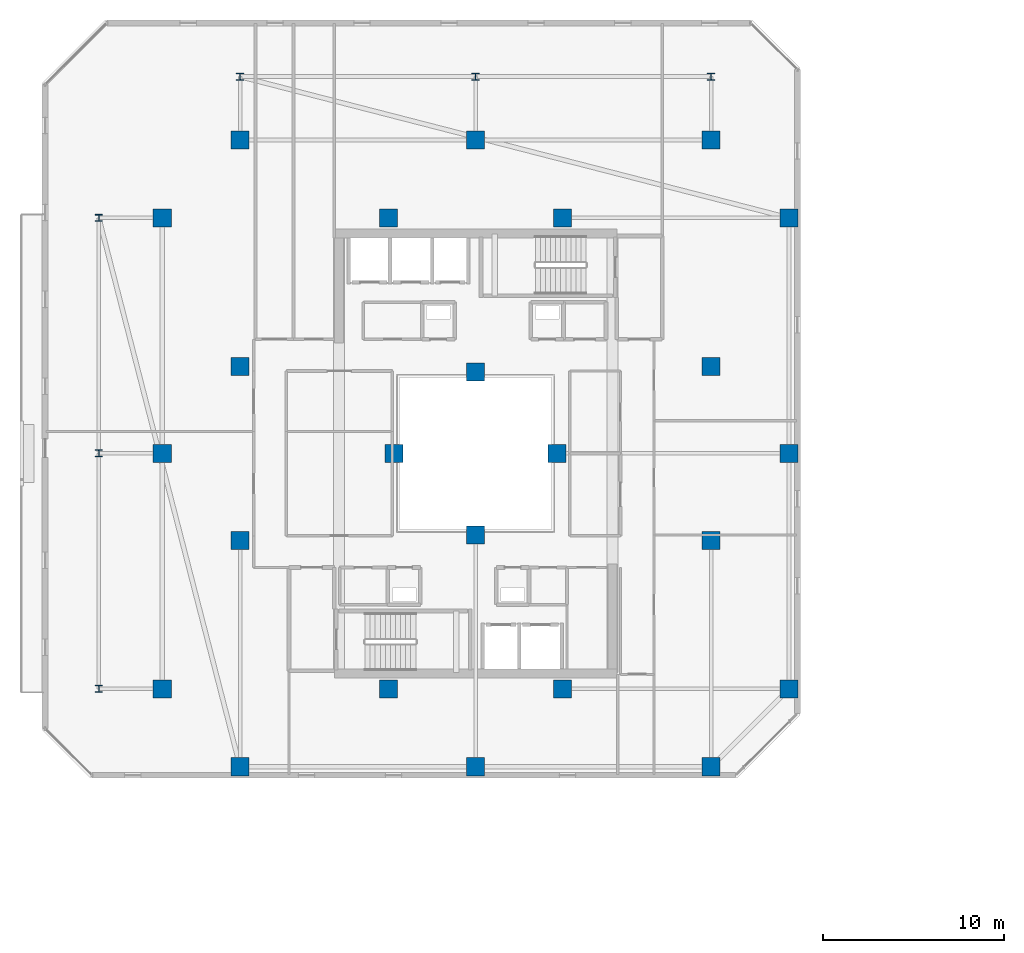
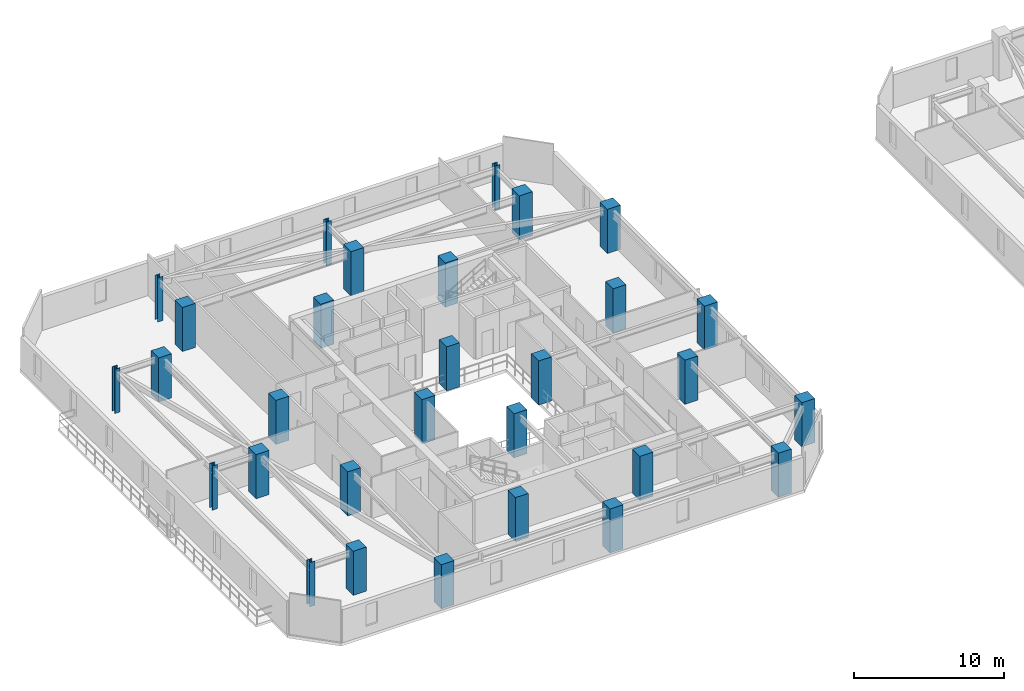
# One storey, part 1 of 33: 30 columns.
"""IFC4 building model written with IfcOpenShell, lengths in metres."""

from ifc_helpers import new_model, si_unit, direction, frame, origin, origin_2d, place, context, subcontext, project, spatial, rectangle, i_section, extrude, material, material_profile, profile_set, type_object, element, save


model = new_model("IFC4")

# Units and contexts
model_context = context("Model", 3, precision=1e-05, world=origin(), true_north=direction((0.0, 1.0)))
body_context = subcontext(model_context, "Body", "Model", "MODEL_VIEW")
ifc_project = project(units=[si_unit("LENGTHUNIT", "METRE"), si_unit("AREAUNIT", "SQUARE_METRE"), si_unit("VOLUMEUNIT", "CUBIC_METRE"), si_unit("PLANEANGLEUNIT", "RADIAN"), si_unit("MASSUNIT", "GRAM", prefix="KILO")], contexts=[model_context])

# Site, building, storey
site_placement = place(None, origin())
site = spatial("IfcSite", under=ifc_project, at=site_placement, CompositionType="ELEMENT")
building_placement = place(site_placement, origin())
building = spatial("IfcBuilding", under=site, at=building_placement, Name="Thornwick Lancets Civic Towers", CompositionType="ELEMENT")
storey_placement = place(building_placement, frame((0.0, 0.0, 210.89990234375)))
storey = spatial("IfcBuildingStorey", under=building, at=storey_placement, Name="L56", CompositionType="ELEMENT", Elevation=210.89990234375)

# Columns
ifc_material_1 = material(Name="Concrete C50/60", Category="concrete")
ifc_material_profile_1 = material_profile(ifc_material_1, rectangle(XDim=1.0, YDim=1.0, at=origin_2d()), Name="RC 1000x1000")
ifc_profile_set_1 = profile_set([ifc_material_profile_1], Name="Concrete C50/60")
column_type_1 = type_object("IfcColumnType", Name="COL_RC_1000", PredefinedType="COLUMN", material=ifc_profile_set_1)
for number, where, z_axis, x_axis, name in (
    (1, (12.5, 9.699951171875, 0.0), (0.0, 0.0, 1.0), (1.0, 0.0, 0.0), "L56 Spine Mega-Column A01"),
    (2, (25.5, 9.699951171875, 0.0), (0.0, 0.0, 1.0), (1.0, 0.0, 0.0), "L56 Spine Mega-Column A02"),
    (3, (38.5, 9.699951171875, 0.0), (0.0, 0.0, 1.0), (1.0, 0.0, 0.0), "L56 Spine Mega-Column A03"),
    (4, (42.800048828125, 14.0, 0.0), (0.0, 0.0, 1.0), (1.0, 0.0, 0.0), "L56 Spine Mega-Column A04"),
    (5, (42.800048828125, 27.0, 0.0), (0.0, 0.0, 1.0), (1.0, 0.0, 0.0), "L56 Spine Mega-Column A05"),
    (6, (42.800048828125, 40.0, 0.0), (0.0, 0.0, 1.0), (1.0, 0.0, 0.0), "L56 Spine Mega-Column A06"),
    (7, (12.5, 44.300048828125, 0.0), (0.0, 0.0, 1.0), (1.0, 0.0, 0.0), "L56 Spine Mega-Column A07"),
    (8, (25.5, 44.300048828125, 0.0), (0.0, 0.0, 1.0), (1.0, 0.0, 0.0), "L56 Spine Mega-Column A08"),
    (9, (38.5, 44.300048828125, 0.0), (0.0, 0.0, 1.0), (1.0, 0.0, 0.0), "L56 Spine Mega-Column A09"),
    (10, (8.199951171875, 14.0, 0.0), (0.0, 0.0, 1.0), (1.0, 0.0, 0.0), "L56 Spine Mega-Column A10"),
    (11, (8.199951171875, 27.0, 0.0), (0.0, 0.0, 1.0), (1.0, 0.0, 0.0), "L56 Spine Mega-Column A11"),
    (12, (8.199951171875, 40.0, 0.0), (0.0, 0.0, 1.0), (1.0, 0.0, 0.0), "L56 Spine Mega-Column A12"),
    (13, (12.5, 22.199951171875, 0.0), (0.0, 0.0, 1.0), (1.0, 0.0, 0.0), "L56 Spine Mega-Column A13"),
    (14, (38.5, 22.199951171875, 0.0), (0.0, 0.0, 1.0), (1.0, 0.0, 0.0), "L56 Spine Mega-Column A14"),
    (15, (12.5, 31.800048828125, 0.0), (0.0, 0.0, 1.0), (1.0, 0.0, 0.0), "L56 Spine Mega-Column A15"),
    (16, (38.5, 31.800048828125, 0.0), (0.0, 0.0, 1.0), (1.0, 0.0, 0.0), "L56 Spine Mega-Column A16"),
    (17, (20.699951171875, 14.0, 0.0), (0.0, 0.0, 1.0), (1.0, 0.0, 0.0), "L56 Spine Mega-Column A17"),
    (18, (30.300048828125, 14.0, 0.0), (0.0, 0.0, 1.0), (1.0, 0.0, 0.0), "L56 Spine Mega-Column A18"),
    (19, (20.699951171875, 40.0, 0.0), (0.0, 0.0, 1.0), (1.0, 0.0, 0.0), "L56 Spine Mega-Column A19"),
    (20, (30.300048828125, 40.0, 0.0), (0.0, 0.0, 1.0), (1.0, 0.0, 0.0), "L56 Spine Mega-Column A20"),
    (21, (25.5, 22.5, 0.0), (0.0, 0.0, 1.0), (1.0, 0.0, 0.0), "L56 Spine Mega-Column A21"),
    (22, (25.5, 31.5, 0.0), (0.0, 0.0, 1.0), (1.0, 0.0, 0.0), "L56 Spine Mega-Column A22"),
    (23, (21.0, 27.0, 0.0), (0.0, 0.0, 1.0), (1.0, 0.0, 0.0), "L56 Spine Mega-Column A23"),
    (24, (30.0, 27.0, 0.0), (0.0, 0.0, 1.0), (1.0, 0.0, 0.0), "L56 Spine Mega-Column A24"),
):
    element("IfcColumn", number, at=place(storey_placement, frame(where, z_axis=z_axis, x_axis=x_axis)), inside=storey, type_object=column_type_1, Name=name, PredefinedType="COLUMN", context=body_context, shape_type="SweptSolid", body=[
        extrude(rectangle(XDim=1.0, YDim=1.0, at=origin_2d()), origin(), (0.0, 0.0, 1.0), 3.60009765625),
    ])
ifc_material_2 = material(Name="Steel S355JR", Category="steel")
ifc_material_profile_2 = material_profile(ifc_material_2, i_section(OverallWidth=0.39892578125, OverallDepth=0.3935546875, WebThickness=0.022705078125, FlangeThickness=0.03662109375, FilletRadius=0.01513671875, at=origin_2d()), Name="UKC 356x406x287")
ifc_profile_set_2 = profile_set([ifc_material_profile_2], Name="Steel S355JR")
column_type_2 = type_object("IfcColumnType", Name="COL_UKC_287", PredefinedType="COLUMN", material=ifc_profile_set_2)
for number, where, z_axis, x_axis, name in (
    (25, (12.5, 47.800048828125, 0.0), (0.0, 0.0, 1.0), (1.0, 0.0, 0.0), "L56 Block Perimeter Column A07"),
    (26, (25.5, 47.800048828125, 0.0), (0.0, 0.0, 1.0), (1.0, 0.0, 0.0), "L56 Block Perimeter Column A08"),
    (27, (38.5, 47.800048828125, 0.0), (0.0, 0.0, 1.0), (1.0, 0.0, 0.0), "L56 Block Perimeter Column A09"),
    (28, (4.699951171875, 14.0, 0.0), (0.0, 0.0, 1.0), (1.0, 0.0, 0.0), "L56 Block Perimeter Column A10"),
    (29, (4.699951171875, 27.0, 0.0), (0.0, 0.0, 1.0), (1.0, 0.0, 0.0), "L56 Block Perimeter Column A11"),
    (30, (4.699951171875, 40.0, 0.0), (0.0, 0.0, 1.0), (1.0, 0.0, 0.0), "L56 Block Perimeter Column A12"),
):
    element("IfcColumn", number, at=place(storey_placement, frame(where, z_axis=z_axis, x_axis=x_axis)), inside=storey, type_object=column_type_2, Name=name, PredefinedType="COLUMN", context=body_context, shape_type="SweptSolid", body=[
        extrude(i_section(OverallWidth=0.39892578125, OverallDepth=0.3935546875, WebThickness=0.022705078125, FlangeThickness=0.03662109375, FilletRadius=0.01513671875, at=origin_2d()), origin(), (0.0, 0.0, 1.0), 3.60009765625),
    ])

save(model, "model.ifc")
